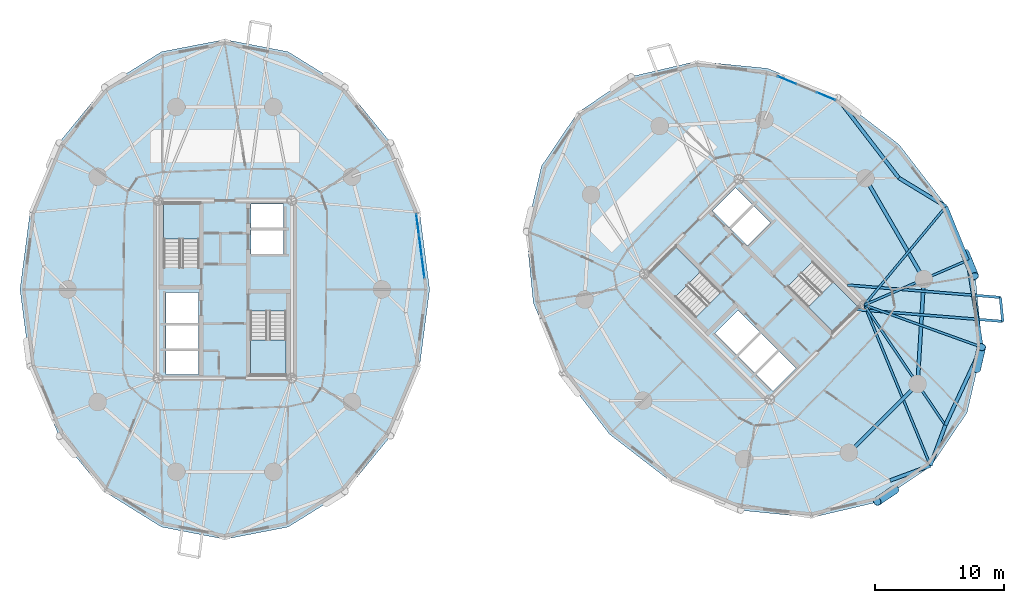
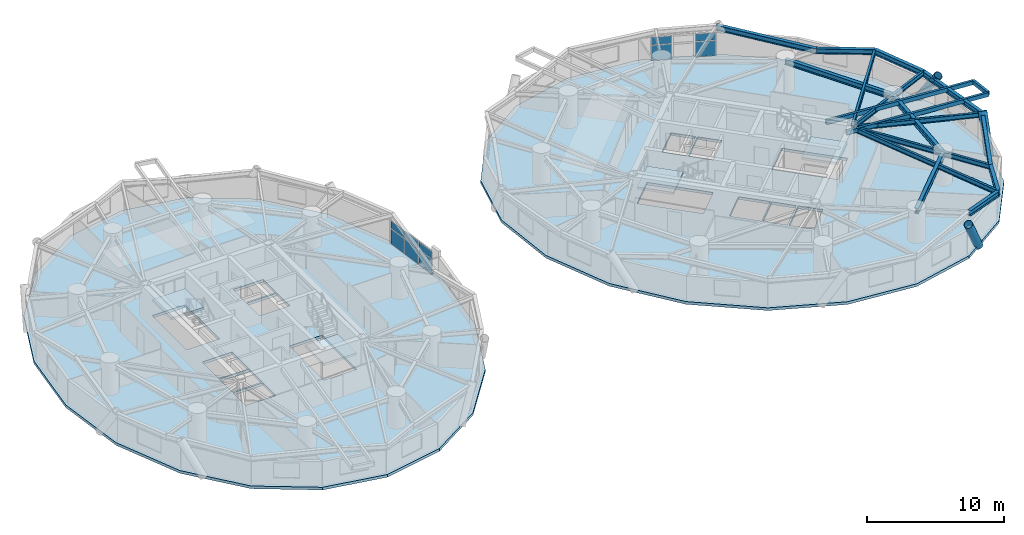
# One storey, part 8 of 16: 18 beams, 10 plates, 6 slabs, 3 members, 6 elements without a shape of their own.
"""IFC4 building model written with IfcOpenShell, lengths in metres."""

from ifc_helpers import new_model, si_unit, direction, frame, origin, origin_2d, place, context, subcontext, project, spatial, polyline, rectangle, hollow_rectangle, hollow_circle, i_section, outline, extrude, source, transform, mapped, material, layer, layer_set, material_profile, profile_set, type_object, element, aggregate, save


model = new_model("IFC4")

# Units and contexts
model_context = context("Model", 3, precision=1e-05, world=origin(), true_north=direction((0.0, 1.0)))
body_context = subcontext(model_context, "Body", "Model", "MODEL_VIEW")
ifc_project = project(units=[si_unit("LENGTHUNIT", "METRE"), si_unit("AREAUNIT", "SQUARE_METRE"), si_unit("VOLUMEUNIT", "CUBIC_METRE"), si_unit("PLANEANGLEUNIT", "RADIAN"), si_unit("MASSUNIT", "GRAM", prefix="KILO")], contexts=[model_context])

# Site, building, storey
site_placement = place(None, origin())
site = spatial("IfcSite", under=ifc_project, at=site_placement, CompositionType="ELEMENT")
building_placement = place(site_placement, origin())
building = spatial("IfcBuilding", under=site, at=building_placement, Name="Cununo Teusaquillo Station Towers", CompositionType="ELEMENT")
storey_placement = place(building_placement, frame((0.0, 0.0, 99.25)))
storey = spatial("IfcBuildingStorey", under=building, at=storey_placement, Name="L31", CompositionType="ELEMENT", Elevation=99.25)

# Beams
ifc_material_1 = material(Name="Steel EN 10025-2 S355J2", Category="steel")
ifc_material_profile_1 = material_profile(ifc_material_1, hollow_rectangle(XDim=0.199951171875, YDim=0.35009765625, WallThickness=0.013916015625, at=origin_2d()), Name="RHS 350x200x14")
ifc_profile_set_1 = profile_set([ifc_material_profile_1], Name="Steel EN 10025-2 S355J2")
beam_type_1 = type_object("IfcBeamType", Name="BM-BAL-CANT", PredefinedType="BEAM", material=ifc_profile_set_1)
beam_1_placement = place(storey_placement, frame((65.349609375, 22.945068359375, 2.4951171875), z_axis=(0.996745262171, -0.080615645749, 0.0), x_axis=(0.080615645749, 0.996745262171, 0.0)))
element("IfcBeam", 1, at=beam_1_placement, inside=storey, type_object=beam_type_1, Name="L31 Tower B Balcony Cantilever Bracket 2A", PredefinedType="BEAM", context=body_context, shape_type="SweptSolid", body=[
    extrude(hollow_rectangle(XDim=0.199951171875, YDim=0.35009765625, WallThickness=0.013916015625, at=origin_2d()), origin(), (0.0, 0.0, 1.0), 11.42626953125),
])
beam_2_placement = place(storey_placement, frame((64.73095703125, 24.835205078125, 2.4951171875), z_axis=(0.996743683159, -0.080635166538, 0.0), x_axis=(0.080635166538, 0.996743683159, 0.0)))
element("IfcBeam", 2, at=beam_2_placement, inside=storey, type_object=beam_type_1, Name="L31 Tower B Balcony Cantilever Bracket 2B", PredefinedType="BEAM", context=body_context, shape_type="SweptSolid", body=[
    extrude(hollow_rectangle(XDim=0.199951171875, YDim=0.35009765625, WallThickness=0.013916015625, at=origin_2d()), origin(), (0.0, 0.0, 1.0), 11.862548828125),
])
ifc_material_2 = material(Name="Steel ASTM A572 Grade 50", Category="steel")
ifc_material_profile_2 = material_profile(ifc_material_2, i_section(OverallWidth=0.180908203125, OverallDepth=0.4169921875, WebThickness=0.010986328125, FlangeThickness=0.018310546875, FilletRadius=0.012939453125, at=origin_2d()), Name="W16X57")
ifc_profile_set_2 = profile_set([ifc_material_profile_2], Name="Steel ASTM A572 Grade 50")
beam_type_2 = type_object("IfcBeamType", Name="BM-JOIST-1", PredefinedType="JOIST", material=ifc_profile_set_2)
beam_3_placement = place(storey_placement, frame((66.024169921875, 23.29443359375, 2.46142578125), z_axis=(0.380485864505, -0.924786735908, 0.0), x_axis=(0.924786735908, 0.380485864505, 0.0)))
element("IfcBeam", 3, at=beam_3_placement, inside=storey, type_object=beam_type_2, Name="L31 Tower B Radial Spandrel Joist V15", PredefinedType="JOIST", context=body_context, shape_type="SweptSolid", body=[
    extrude(i_section(OverallWidth=0.180908203125, OverallDepth=0.4169921875, WebThickness=0.010986328125, FlangeThickness=0.018310546875, FilletRadius=0.012939453125, at=origin_2d()), origin(), (0.0, 0.0, 1.0), 13.44580078125),
])
beam_4_placement = place(storey_placement, frame((66.024169921875, 23.29443359375, 2.46142578125), z_axis=(0.941082771055, -0.338176312038, 0.0), x_axis=(0.338176312038, 0.941082771055, 0.0)))
element("IfcBeam", 4, at=beam_4_placement, inside=storey, type_object=beam_type_2, Name="L31 Tower B Radial Spandrel Joist V17", PredefinedType="JOIST", context=body_context, shape_type="SweptSolid", body=[
    extrude(i_section(OverallWidth=0.180908203125, OverallDepth=0.4169921875, WebThickness=0.010986328125, FlangeThickness=0.018310546875, FilletRadius=0.012939453125, at=origin_2d()), origin(), (0.0, 0.0, 1.0), 9.646484375),
])
beam_5_placement = place(storey_placement, frame((66.024169921875, 23.29443359375, 2.46142578125), z_axis=(0.638372238196, 0.769727799615, 0.0), x_axis=(-0.769727799615, 0.638372238196, 0.0)))
element("IfcBeam", 5, at=beam_5_placement, inside=storey, type_object=beam_type_2, Name="L31 Tower B Radial Spandrel Joist V19", PredefinedType="JOIST", context=body_context, shape_type="SweptSolid", body=[
    extrude(i_section(OverallWidth=0.180908203125, OverallDepth=0.4169921875, WebThickness=0.010986328125, FlangeThickness=0.018310546875, FilletRadius=0.012939453125, at=origin_2d()), origin(), (0.0, 0.0, 1.0), 9.895263671875),
])
ifc_material_3 = material(Name="Steel ASTM A572 Grade 50", Category="steel")
ifc_material_profile_3 = material_profile(ifc_material_3, i_section(OverallWidth=0.180908203125, OverallDepth=0.4169921875, WebThickness=0.010986328125, FlangeThickness=0.018310546875, FilletRadius=0.012939453125, at=origin_2d()), Name="W16X57")
ifc_profile_set_3 = profile_set([ifc_material_profile_3], Name="Steel ASTM A572 Grade 50")
beam_type_3 = type_object("IfcBeamType", Name="BM-RAD-G2", PredefinedType="BEAM", material=ifc_profile_set_3)
beam_6_placement = place(storey_placement, frame((66.024169921875, 23.29443359375, 2.46142578125), z_axis=(0.558572297481, -0.82945583878, 0.0), x_axis=(0.82945583878, 0.558572297481, 0.0)))
element("IfcBeam", 6, at=beam_6_placement, inside=storey, type_object=beam_type_3, Name="L31 Tower B Continuous Overhanging Radial Girder 09", PredefinedType="BEAM", context=body_context, shape_type="SweptSolid", body=[
    extrude(i_section(OverallWidth=0.180908203125, OverallDepth=0.4169921875, WebThickness=0.010986328125, FlangeThickness=0.018310546875, FilletRadius=0.012939453125, at=origin_2d()), origin(), (0.0, 0.0, 1.0), 11.22998046875),
])
beam_7_placement = place(storey_placement, frame((66.024169921875, 23.29443359375, 2.46142578125), z_axis=(0.917654733344, 0.397378648609, 0.0), x_axis=(-0.397378648609, 0.917654733344, 0.0)))
element("IfcBeam", 7, at=beam_7_placement, inside=storey, type_object=beam_type_3, Name="L31 Tower B Continuous Overhanging Radial Girder 10", PredefinedType="BEAM", context=body_context, shape_type="SweptSolid", body=[
    extrude(i_section(OverallWidth=0.180908203125, OverallDepth=0.4169921875, WebThickness=0.010986328125, FlangeThickness=0.018310546875, FilletRadius=0.012939453125, at=origin_2d()), origin(), (0.0, 0.0, 1.0), 8.71484375),
])
ifc_material_4 = material(Name="Steel ASTM A572 Grade 50", Category="steel")
ifc_material_profile_4 = material_profile(ifc_material_4, i_section(OverallWidth=0.280029296875, OverallDepth=0.462890625, WebThickness=0.0107421875, FlangeThickness=0.017333984375, FilletRadius=0.013916015625, at=origin_2d()), Name="W18X76")
ifc_profile_set_4 = profile_set([ifc_material_profile_4], Name="Steel ASTM A572 Grade 50")
beam_type_4 = type_object("IfcBeamType", Name="BM-RING-Z2", PredefinedType="SPANDREL", material=ifc_profile_set_4)
beam_8_placement = place(storey_placement, frame((64.826904296875, 11.853759765625, 2.4384765625), z_axis=(0.707106781187, 0.707106781187, 0.0), x_axis=(-0.707106781187, 0.707106781187, 0.0)))
element("IfcBeam", 8, at=beam_8_placement, inside=storey, type_object=beam_type_4, Name="L31 Tower B Structural Column Ring Girder 08", PredefinedType="SPANDREL", context=body_context, shape_type="SweptSolid", body=[
    extrude(i_section(OverallWidth=0.280029296875, OverallDepth=0.462890625, WebThickness=0.0107421875, FlangeThickness=0.017333984375, FilletRadius=0.013916015625, at=origin_2d()), origin(), (0.0, 0.0, 1.0), 7.522705078125),
])
beam_9_placement = place(storey_placement, frame((70.146240234375, 17.173095703125, 2.4384765625), z_axis=(0.06012979176, 0.998190567048, 0.0), x_axis=(-0.998190567048, 0.06012979176, 0.0)))
element("IfcBeam", 9, at=beam_9_placement, inside=storey, type_object=beam_type_4, Name="L31 Tower B Structural Column Ring Girder 09", PredefinedType="SPANDREL", context=body_context, shape_type="SweptSolid", body=[
    extrude(i_section(OverallWidth=0.280029296875, OverallDepth=0.462890625, WebThickness=0.0107421875, FlangeThickness=0.017333984375, FilletRadius=0.013916015625, at=origin_2d()), origin(), (0.0, 0.0, 1.0), 8.132568359375),
])
beam_10_placement = place(storey_placement, frame((70.63525390625, 25.291015625, 2.4384765625), z_axis=(-0.501311121078, 0.865267103202, 0.0), x_axis=(-0.865267103202, -0.501311121078, 0.0)))
element("IfcBeam", 10, at=beam_10_placement, inside=storey, type_object=beam_type_4, Name="L31 Tower B Structural Column Ring Girder 10", PredefinedType="SPANDREL", context=body_context, shape_type="SweptSolid", body=[
    extrude(i_section(OverallWidth=0.280029296875, OverallDepth=0.462890625, WebThickness=0.0107421875, FlangeThickness=0.017333984375, FilletRadius=0.013916015625, at=origin_2d()), origin(), (0.0, 0.0, 1.0), 9.032958984375),
])
beam_11_placement = place(storey_placement, frame((68.694580078125, 33.12890625, 2.4384765625), z_axis=(-0.610100441726, 0.792324082056, 0.0), x_axis=(-0.792324082056, -0.610100441726, 0.0)))
element("IfcBeam", 11, at=beam_11_placement, inside=storey, type_object=beam_type_4, Name="L31 Tower B Spandrel Ring Beam 01", PredefinedType="SPANDREL", context=body_context, shape_type="SweptSolid", body=[
    extrude(i_section(OverallWidth=0.280029296875, OverallDepth=0.462890625, WebThickness=0.0107421875, FlangeThickness=0.017333984375, FilletRadius=0.013916015625, at=origin_2d()), origin(), (0.0, 0.0, 1.0), 7.84033203125),
])
for number, where, z_axis, x_axis, name in (
    (12, (68.020263671875, 9.703125, 2.4384765625), (0.937628334414, 0.347639333943, 0.0), (-0.347639333943, 0.937628334414, 0.0), "L31 Tower B Spandrel Ring Beam 15"),
    (13, (71.14013671875, 10.85986328125, 2.4384765625), (0.347639333943, 0.937628334414, 0.0), (-0.937628334414, 0.347639333943, 0.0), "L31 Tower B Spandrel Ring Beam 16"),
):
    element("IfcBeam", number, at=place(storey_placement, frame(where, z_axis=z_axis, x_axis=x_axis)), inside=storey, type_object=beam_type_4, Name=name, PredefinedType="SPANDREL", context=body_context, shape_type="SweptSolid", body=[
        extrude(i_section(OverallWidth=0.280029296875, OverallDepth=0.462890625, WebThickness=0.0107421875, FlangeThickness=0.017333984375, FilletRadius=0.013916015625, at=origin_2d()), origin(), (0.0, 0.0, 1.0), 3.327392578125),
    ])
beam_12_placement = place(storey_placement, frame((72.296875, 13.979736328125, 2.4384765625), z_axis=(0.420535961689, 0.907275870354, 0.0), x_axis=(-0.907275870354, 0.420535961689, 0.0)))
element("IfcBeam", 14, at=beam_12_placement, inside=storey, type_object=beam_type_4, Name="L31 Tower B Spandrel Ring Beam 17", PredefinedType="SPANDREL", context=body_context, shape_type="SweptSolid", body=[
    extrude(i_section(OverallWidth=0.280029296875, OverallDepth=0.462890625, WebThickness=0.0107421875, FlangeThickness=0.017333984375, FilletRadius=0.013916015625, at=origin_2d()), origin(), (0.0, 0.0, 1.0), 6.671142578125),
])
beam_13_placement = place(storey_placement, frame((75.102294921875, 20.0322265625, 2.4384765625), z_axis=(-0.158671232312, 0.987331474246, 0.0), x_axis=(-0.987331474246, -0.158671232312, 0.0)))
element("IfcBeam", 15, at=beam_13_placement, inside=storey, type_object=beam_type_4, Name="L31 Tower B Spandrel Ring Beam 18", PredefinedType="SPANDREL", context=body_context, shape_type="SweptSolid", body=[
    extrude(i_section(OverallWidth=0.280029296875, OverallDepth=0.462890625, WebThickness=0.0107421875, FlangeThickness=0.017333984375, FilletRadius=0.013916015625, at=origin_2d()), origin(), (0.0, 0.0, 1.0), 6.8115234375),
])
beam_14_placement = place(storey_placement, frame((74.021484375, 26.757568359375, 2.4384765625), z_axis=(-0.375042266631, 0.927007712072, 0.0), x_axis=(-0.927007712072, -0.375042266631, 0.0)))
element("IfcBeam", 16, at=beam_14_placement, inside=storey, type_object=beam_type_4, Name="L31 Tower B Spandrel Ring Beam 19", PredefinedType="SPANDREL", context=body_context, shape_type="SweptSolid", body=[
    extrude(i_section(OverallWidth=0.280029296875, OverallDepth=0.462890625, WebThickness=0.0107421875, FlangeThickness=0.017333984375, FilletRadius=0.013916015625, at=origin_2d()), origin(), (0.0, 0.0, 1.0), 4.480712890625),
])
beam_15_placement = place(storey_placement, frame((72.341064453125, 30.9111328125, 2.4384765625), z_axis=(-0.854388492444, 0.519634779416, 0.0), x_axis=(-0.519634779416, -0.854388492444, 0.0)))
element("IfcBeam", 17, at=beam_15_placement, inside=storey, type_object=beam_type_4, Name="L31 Tower B Spandrel Ring Beam 20", PredefinedType="SPANDREL", context=body_context, shape_type="SweptSolid", body=[
    extrude(i_section(OverallWidth=0.280029296875, OverallDepth=0.462890625, WebThickness=0.0107421875, FlangeThickness=0.017333984375, FilletRadius=0.013916015625, at=origin_2d()), origin(), (0.0, 0.0, 1.0), 4.26806640625),
])
ifc_material_5 = material(Name="Steel EN 10025-2 S355J2", Category="steel")
ifc_material_profile_5 = material_profile(ifc_material_5, hollow_rectangle(XDim=0.199951171875, YDim=0.35009765625, WallThickness=0.013916015625, at=origin_2d()), Name="RHS 350x200x14")
ifc_profile_set_5 = profile_set([ifc_material_profile_5], Name="Steel EN 10025-2 S355J2")
beam_type_5 = type_object("IfcBeamType", Name="BM-STAIR-TRIM", PredefinedType="BEAM", material=ifc_profile_set_5)
beam_16_placement = place(storey_placement, frame((76.73876953125, 22.02392578125, 2.52490234375), z_axis=(-0.098634743912, 0.995123704518, 0.0), x_axis=(-0.995123704518, -0.098634743912, 0.0)))
element("IfcBeam", 18, at=beam_16_placement, inside=storey, type_object=beam_type_5, Name="L31 Tower B Balcony Edge Trimmer Beam 2", PredefinedType="BEAM", context=body_context, shape_type="SweptSolid", body=[
    extrude(hollow_rectangle(XDim=0.199951171875, YDim=0.35009765625, WallThickness=0.013916015625, at=origin_2d()), origin(), (0.0, 0.0, 1.0), 1.86376953125),
])

# Members
ifc_material_6 = material(Name="Steel EN 10025-2 S355J2", Category="steel")
ifc_material_profile_6 = material_profile(ifc_material_6, hollow_circle(Radius=0.330078125, WallThickness=0.02490234375, at=origin_2d()), Name="CHS 660x25")
ifc_profile_set_6 = profile_set([ifc_material_profile_6], Name="Steel EN 10025-2 S355J2")
member_type = type_object("IfcMemberType", Name="MBR-DIAG-Z2", PredefinedType="BRACE", material=ifc_profile_set_6)
member_1_placement = place(storey_placement, frame((68.393310546875, 9.003173828125, -0.139892578125), z_axis=(-0.410124934173, -0.277231625428, 0.868872927552), x_axis=(0.560024081213, -0.828476329452, 0.0)))
element("IfcMember", 19, at=member_1_placement, inside=storey, type_object=member_type, Name="L31 Tower B Folded-Zigzag Diagrid Tube C14", PredefinedType="BRACE", context=body_context, shape_type="SweptSolid", body=[
    extrude(hollow_circle(Radius=0.330078125, WallThickness=0.02490234375, at=origin_2d()), origin(), (0.0, 0.0, 1.0), 3.34912109375),
])
member_2_placement = place(storey_placement, frame((74.7099609375, 18.348388671875, -0.139892578125), z_axis=(0.115910772147, 0.497471434658, 0.859701613701), x_axis=(-0.973913029911, 0.226921594761, 0.0)))
element("IfcMember", 20, at=member_2_placement, inside=storey, type_object=member_type, Name="L31 Tower B Folded-Zigzag Diagrid Tube C16", PredefinedType="BRACE", context=body_context, shape_type="SweptSolid", body=[
    extrude(hollow_circle(Radius=0.330078125, WallThickness=0.02490234375, at=origin_2d()), origin(), (0.0, 0.0, 1.0), 3.384765625),
])
member_3_placement = place(storey_placement, frame((73.818115234375, 27.318115234375, -0.139892578125), z_axis=(0.211093316399, -0.51346268498, 0.83174255807), x_axis=(0.924888817599, 0.380237656053, 0.0)))
element("IfcMember", 21, at=member_3_placement, inside=storey, type_object=member_type, Name="L31 Tower B Folded-Zigzag Diagrid Tube C18", PredefinedType="BRACE", context=body_context, shape_type="SweptSolid", body=[
    extrude(hollow_circle(Radius=0.330078125, WallThickness=0.02490234375, at=origin_2d()), origin(), (0.0, 0.0, 1.0), 3.49853515625),
])

# Stair, slab
ifc_material_7 = material(Name="Concrete C50/60", Category="concrete")
stair_type = type_object("IfcStairType", Name="ST-TWR-1300", PredefinedType="HALF_TURN_STAIR", material=ifc_material_7)
stair_1_placement = place(storey_placement, origin())
stair_1 = element("IfcStair", 22, at=stair_1_placement, inside=storey, type_object=stair_type, Name="L31 Tower A Protected Core Exit Stair 1", PredefinedType="HALF_TURN_STAIR")
ifc_material_8 = material(Name="Concrete C50/60", Category="concrete")
ifc_layer_1 = layer(ifc_material_8, 0.199951171875)
ifc_layer_set_1 = layer_set([ifc_layer_1], Name="Concrete C50/60")
slab_type_1 = type_object("IfcSlabType", Name="SLB-STAIR-LND", PredefinedType="LANDING", material=ifc_layer_set_1)
slab_1_placement = place(storey_placement, frame((0.0, 0.0, 1.2548828125)))
slab_1 = element("IfcSlab", 23, at=slab_1_placement, type_object=slab_type_1, Name="ST-T1-1 landing 1", PredefinedType="LANDING", context=body_context, shape_type="SweptSolid", body=[
    extrude(outline(polyline([(14.52001953125, 28.409912109375), (14.52001953125, 31.159912109375), (11.760009765625, 31.159912109375), (11.760009765625, 28.409912109375), (14.52001953125, 28.409912109375)])), origin(), (0.0, 0.0, 1.0), 0.2001953125),
])
aggregate(stair_1, [slab_1])

stair_2_placement = place(storey_placement, origin())
stair_2 = element("IfcStair", 24, at=stair_2_placement, inside=storey, type_object=stair_type, Name="L31 Tower A Protected Core Exit Stair 2", PredefinedType="HALF_TURN_STAIR")
slab_2_placement = place(storey_placement, frame((0.0, 0.0, 1.2548828125)))
slab_2 = element("IfcSlab", 25, at=slab_2_placement, type_object=slab_type_1, Name="ST-T1-2 landing 1", PredefinedType="LANDING", context=body_context, shape_type="SweptSolid", body=[
    extrude(outline(polyline([(18.47998046875, 20.590087890625), (18.47998046875, 17.840087890625), (21.239990234375, 17.840087890625), (21.239990234375, 20.590087890625), (18.47998046875, 20.590087890625)])), origin(), (0.0, 0.0, 1.0), 0.2001953125),
])
aggregate(stair_2, [slab_2])

stair_3_placement = place(storey_placement, origin())
stair_3 = element("IfcStair", 26, at=stair_3_placement, inside=storey, type_object=stair_type, Name="L31 Tower B Protected Core Exit Stair 1", PredefinedType="HALF_TURN_STAIR")
slab_3_placement = place(storey_placement, frame((0.0, 0.0, 1.2548828125)))
slab_3 = element("IfcSlab", 27, at=slab_3_placement, type_object=slab_type_1, Name="ST-T2-1 landing 1", PredefinedType="LANDING", context=body_context, shape_type="SweptSolid", body=[
    extrude(outline(polyline([(53.335205078125, 25.86474609375), (51.390625, 27.809326171875), (49.43896484375, 25.857666015625), (51.383544921875, 23.9130859375), (53.335205078125, 25.86474609375)])), origin(), (0.0, 0.0, 1.0), 0.2001953125),
])
aggregate(stair_3, [slab_3])

stair_4_placement = place(storey_placement, origin())
stair_4 = element("IfcStair", 28, at=stair_4_placement, inside=storey, type_object=stair_type, Name="L31 Tower B Protected Core Exit Stair 2", PredefinedType="HALF_TURN_STAIR")
slab_4_placement = place(storey_placement, frame((0.0, 0.0, 1.2548828125)))
slab_4 = element("IfcSlab", 29, at=slab_4_placement, type_object=slab_type_1, Name="ST-T2-2 landing 1", PredefinedType="LANDING", context=body_context, shape_type="SweptSolid", body=[
    extrude(outline(polyline([(61.664794921875, 23.13525390625), (63.609375, 21.190673828125), (65.56103515625, 23.142333984375), (63.616455078125, 25.0869140625), (61.664794921875, 23.13525390625)])), origin(), (0.0, 0.0, 1.0), 0.2001953125),
])
aggregate(stair_4, [slab_4])

# Slabs
ifc_material_9 = material(Name="Concrete C40/50", Category="concrete")
ifc_layer_2 = layer(ifc_material_9, 0.239990234375)
ifc_layer_set_2 = layer_set([ifc_layer_2], Name="Concrete C40/50")
slab_type_2 = type_object("IfcSlabType", Name="SLB-Z2-240", PredefinedType="FLOOR", material=ifc_layer_set_2)
slab_5_placement = place(storey_placement, frame((0.0, 0.0, -0.239990234375)))
element("IfcSlab", 30, at=slab_5_placement, inside=storey, type_object=slab_type_2, Name="L31 Tower A Floor Slab", PredefinedType="FLOOR", context=body_context, shape_type="SweptSolid", body=[
    extrude(outline(polyline([(32.361083984375, 24.5), (31.584716796875, 30.4794921875), (29.331787109375, 35.87353515625), (25.822998046875, 40.154541015625), (21.4013671875, 42.90283203125), (16.5, 43.85009765625), (11.5986328125, 42.90283203125), (7.177001953125, 40.154541015625), (3.668212890625, 35.87353515625), (1.415283203125, 30.4794921875), (0.638916015625, 24.5), (1.415283203125, 18.5205078125), (3.668212890625, 13.12646484375), (7.177001953125, 8.845458984375), (11.5986328125, 6.09716796875), (16.5, 5.14990234375), (21.4013671875, 6.09716796875), (25.822998046875, 8.845458984375), (29.331787109375, 13.12646484375), (31.584716796875, 18.5205078125), (32.361083984375, 24.5)]), holes=[polyline([(14.52001953125, 26.176025390625), (14.52001953125, 31.159912109375), (11.760009765625, 31.159912109375), (11.760009765625, 26.176025390625), (14.52001953125, 26.176025390625)]), polyline([(18.47998046875, 22.823974609375), (18.47998046875, 17.840087890625), (21.239990234375, 17.840087890625), (21.239990234375, 22.823974609375), (18.47998046875, 22.823974609375)]), polyline([(11.949951171875, 21.85009765625), (14.47998046875, 21.85009765625), (14.47998046875, 24.25), (11.949951171875, 24.25), (11.949951171875, 21.85009765625)]), polyline([(11.949951171875, 17.89990234375), (14.47998046875, 17.89990234375), (14.47998046875, 19.75), (11.949951171875, 19.75), (11.949951171875, 17.89990234375)]), polyline([(11.949951171875, 19.89990234375), (14.47998046875, 19.89990234375), (14.47998046875, 21.75), (11.949951171875, 21.75), (11.949951171875, 19.89990234375)]), polyline([(18.52001953125, 27.25), (21.050048828125, 27.25), (21.050048828125, 29.10009765625), (18.52001953125, 29.10009765625), (18.52001953125, 27.25)]), polyline([(18.52001953125, 29.25), (21.050048828125, 29.25), (21.050048828125, 31.10009765625), (18.52001953125, 31.10009765625), (18.52001953125, 29.25)])]), origin(), (0.0, 0.0, 1.0), 0.239990234375),
])
slab_6_placement = place(storey_placement, frame((0.0, 0.0, -0.239990234375)))
element("IfcSlab", 31, at=slab_6_placement, inside=storey, type_object=slab_type_2, Name="L31 Tower B Floor Slab", PredefinedType="FLOOR", context=body_context, shape_type="SweptSolid", body=[
    extrude(outline(polyline([(68.71533203125, 35.71533203125), (63.938232421875, 39.39453125), (58.531005859375, 41.61572265625), (53.02294921875, 42.16162109375), (47.952880859375, 40.978515625), (43.8173828125, 38.1826171875), (41.021484375, 34.047119140625), (39.83837890625, 28.97705078125), (40.38427734375, 23.468994140625), (42.60546875, 18.061767578125), (46.28466796875, 13.28466796875), (51.061767578125, 9.60546875), (56.468994140625, 7.38427734375), (61.97705078125, 6.83837890625), (67.047119140625, 8.021484375), (71.1826171875, 10.8173828125), (73.978515625, 14.952880859375), (75.16162109375, 20.02294921875), (74.61572265625, 25.531005859375), (72.39453125, 30.938232421875), (68.71533203125, 35.71533203125)]), holes=[polyline([(54.914794921875, 24.28515625), (51.390625, 27.809326171875), (49.43896484375, 25.857666015625), (52.963134765625, 22.33349609375), (54.914794921875, 24.28515625)]), polyline([(60.085205078125, 24.71484375), (63.609375, 21.190673828125), (65.56103515625, 23.142333984375), (62.036865234375, 26.66650390625), (60.085205078125, 24.71484375)]), polyline([(56.156494140625, 19.40869140625), (57.945556640625, 21.19775390625), (56.248291015625, 22.89501953125), (54.45947265625, 21.10595703125), (56.156494140625, 19.40869140625)]), polyline([(58.94970703125, 16.61572265625), (60.738525390625, 18.40478515625), (59.430419921875, 19.712890625), (57.641357421875, 17.923828125), (58.94970703125, 16.61572265625)]), polyline([(57.535400390625, 18.030029296875), (59.32421875, 19.819091796875), (58.01611328125, 21.127197265625), (56.227294921875, 19.338134765625), (57.535400390625, 18.030029296875)]), polyline([(56.98388671875, 27.872802734375), (58.772705078125, 29.661865234375), (57.464599609375, 30.969970703125), (55.67578125, 29.180908203125), (56.98388671875, 27.872802734375)]), polyline([(55.569580078125, 29.287109375), (57.358642578125, 31.076171875), (56.05029296875, 32.38427734375), (54.261474609375, 30.59521484375), (55.569580078125, 29.287109375)])]), origin(), (0.0, 0.0, 1.0), 0.239990234375),
])

# Curtain wall, plates
ifc_material_10 = material(Name="Ceramic-fritted dark low-E double glazing", Category="glass")
ifc_layer_3 = layer(ifc_material_10, 0.179931640625)
ifc_layer_set_3 = layer_set([ifc_layer_3], Name="Ceramic-fritted dark low-E double glazing")
curtain_wall_type = type_object("IfcCurtainWallType", Name="CW-SYS-04", PredefinedType="USERDEFINED", material=ifc_layer_set_3)
curtain_wall_1_placement = place(storey_placement, origin())
curtain_wall_1 = element("IfcCurtainWall", 32, at=curtain_wall_1_placement, inside=storey, type_object=curtain_wall_type, Name="L31 Tower A Facade Curtain Wall C00", ObjectType="FRITTED GLAZING", PredefinedType="USERDEFINED")
ifc_material_11 = material(Name="Ceramic-fritted dark low-E double glazing", Category="glass")
ifc_layer_4 = layer(ifc_material_11, 0.028076171875)
ifc_layer_set_4 = layer_set([ifc_layer_4], Name="Ceramic-fritted dark low-E double glazing")
plate_type = type_object("IfcPlateType", Name="CWP-FRIT-28", PredefinedType="CURTAIN_PANEL", material=ifc_layer_set_4)
shared_shape_1 = source(origin(), body_context, "Body", "SweptSolid", [
    extrude(rectangle(XDim=1.59228515625, YDim=0.028076171875, at=origin_2d()), origin(), (0.0, 0.0, 1.0), 1.31103515625),
])
plate_1_placement = place(storey_placement, frame((31.429443359375, 29.533935546875, 0.070068359375), z_axis=(0.0, 0.0, 1.0), x_axis=(0.128335852387, -0.991730764367, 0.0)))
plate_1 = element("IfcPlate", 33, at=plate_1_placement, type_object=plate_type, Name="CW-04 panel 1.1", PredefinedType="CURTAIN_PANEL", context=body_context, shape_type="MappedRepresentation", body=[
    mapped(shared_shape_1, transform((0.0, 0.0, 0.0), x_axis=(1.0, 0.0, 0.0), y_axis=(0.0, 1.0, 0.0), z_axis=(0.0, 0.0, 1.0), scale=1.0)),
])
plate_2_placement = place(storey_placement, frame((31.86083984375, 26.201904296875, 0.070068359375), z_axis=(0.0, 0.0, 1.0), x_axis=(0.128335852387, -0.991730764367, 0.0)))
plate_2 = element("IfcPlate", 34, at=plate_2_placement, type_object=plate_type, Name="CW-04 panel 3.1", PredefinedType="CURTAIN_PANEL", context=body_context, shape_type="MappedRepresentation", body=[
    mapped(shared_shape_1, transform((0.0, 0.0, 0.0), x_axis=(1.0, 0.0, 0.0), y_axis=(0.0, 1.0, 0.0), z_axis=(0.0, 0.0, 1.0), scale=1.0)),
])
shared_shape_2 = source(origin(), body_context, "Body", "SweptSolid", [
    extrude(rectangle(XDim=1.59228515625, YDim=0.028076171875, at=origin_2d()), origin(), (0.0, 0.0, 1.0), 0.657958984375),
])
plate_3_placement = place(storey_placement, frame((31.429443359375, 29.533935546875, 1.451171875), z_axis=(0.0, 0.0, 1.0), x_axis=(0.128335852387, -0.991730764367, 0.0)))
plate_3 = element("IfcPlate", 35, at=plate_3_placement, type_object=plate_type, Name="CW-04 panel 1.2", PredefinedType="CURTAIN_PANEL", context=body_context, shape_type="MappedRepresentation", body=[
    mapped(shared_shape_2, transform((0.0, 0.0, 0.0), x_axis=(1.0, 0.0, 0.0), y_axis=(0.0, 1.0, 0.0), z_axis=(0.0, 0.0, 1.0), scale=1.0)),
])
plate_4_placement = place(storey_placement, frame((31.86083984375, 26.201904296875, 1.451171875), z_axis=(0.0, 0.0, 1.0), x_axis=(0.128335852387, -0.991730764367, 0.0)))
plate_4 = element("IfcPlate", 36, at=plate_4_placement, type_object=plate_type, Name="CW-04 panel 3.2", PredefinedType="CURTAIN_PANEL", context=body_context, shape_type="MappedRepresentation", body=[
    mapped(shared_shape_2, transform((0.0, 0.0, 0.0), x_axis=(1.0, 0.0, 0.0), y_axis=(0.0, 1.0, 0.0), z_axis=(0.0, 0.0, 1.0), scale=1.0)),
])
shared_shape_3 = source(origin(), body_context, "Body", "SweptSolid", [
    extrude(rectangle(XDim=1.62744140625, YDim=0.028076171875, at=origin_2d()), origin(), (0.0, 0.0, 1.0), 1.31103515625),
])
plate_5_placement = place(storey_placement, frame((31.645263671875, 27.867919921875, 0.070068359375), z_axis=(0.0, 0.0, 1.0), x_axis=(0.128335852387, -0.991730764367, 0.0)))
plate_5 = element("IfcPlate", 37, at=plate_5_placement, type_object=plate_type, Name="CW-04 panel 2.1", PredefinedType="CURTAIN_PANEL", context=body_context, shape_type="MappedRepresentation", body=[
    mapped(shared_shape_3, transform((0.0, 0.0, 0.0), x_axis=(1.0, 0.0, 0.0), y_axis=(0.0, 1.0, 0.0), z_axis=(0.0, 0.0, 1.0), scale=1.0)),
])
shared_shape_4 = source(origin(), body_context, "Body", "SweptSolid", [
    extrude(rectangle(XDim=1.62744140625, YDim=0.028076171875, at=origin_2d()), origin(), (0.0, 0.0, 1.0), 0.657958984375),
])
plate_6_placement = place(storey_placement, frame((31.645263671875, 27.867919921875, 1.451171875), z_axis=(0.0, 0.0, 1.0), x_axis=(0.128335852387, -0.991730764367, 0.0)))
plate_6 = element("IfcPlate", 38, at=plate_6_placement, type_object=plate_type, Name="CW-04 panel 2.2", PredefinedType="CURTAIN_PANEL", context=body_context, shape_type="MappedRepresentation", body=[
    mapped(shared_shape_4, transform((0.0, 0.0, 0.0), x_axis=(1.0, 0.0, 0.0), y_axis=(0.0, 1.0, 0.0), z_axis=(0.0, 0.0, 1.0), scale=1.0)),
])
aggregate(curtain_wall_1, [plate_1, plate_3, plate_5, plate_6, plate_2, plate_4])

curtain_wall_2_placement = place(storey_placement, origin())
curtain_wall_2 = element("IfcCurtainWall", 39, at=curtain_wall_2_placement, inside=storey, type_object=curtain_wall_type, Name="L31 Tower B Facade Curtain Wall C01", ObjectType="FRITTED GLAZING", PredefinedType="USERDEFINED")
shared_shape_5 = source(origin(), body_context, "Body", "SweptSolid", [
    extrude(rectangle(XDim=1.531005859375, YDim=0.028076171875, at=origin_2d()), origin(), (0.0, 0.0, 1.0), 1.31103515625),
])
plate_7_placement = place(storey_placement, frame((60.045654296875, 40.697021484375, 0.070068359375), z_axis=(0.0, 0.0, 1.0), x_axis=(0.924562443652, -0.381030560176, 0.0)))
plate_7 = element("IfcPlate", 40, at=plate_7_placement, type_object=plate_type, Name="CW-04 panel 1.1", PredefinedType="CURTAIN_PANEL", context=body_context, shape_type="MappedRepresentation", body=[
    mapped(shared_shape_5, transform((0.0, 0.0, 0.0), x_axis=(1.0, 0.0, 0.0), y_axis=(0.0, 1.0, 0.0), z_axis=(0.0, 0.0, 1.0), scale=1.0)),
])
plate_8_placement = place(storey_placement, frame((63.03857421875, 39.463623046875, 0.070068359375), z_axis=(0.0, 0.0, 1.0), x_axis=(0.924562443652, -0.381030560176, 0.0)))
plate_8 = element("IfcPlate", 41, at=plate_8_placement, type_object=plate_type, Name="CW-04 panel 3.1", PredefinedType="CURTAIN_PANEL", context=body_context, shape_type="MappedRepresentation", body=[
    mapped(shared_shape_5, transform((0.0, 0.0, 0.0), x_axis=(1.0, 0.0, 0.0), y_axis=(0.0, 1.0, 0.0), z_axis=(0.0, 0.0, 1.0), scale=1.0)),
])
shared_shape_6 = source(origin(), body_context, "Body", "SweptSolid", [
    extrude(rectangle(XDim=1.531005859375, YDim=0.028076171875, at=origin_2d()), origin(), (0.0, 0.0, 1.0), 0.657958984375),
])
plate_9_placement = place(storey_placement, frame((60.045654296875, 40.697021484375, 1.451171875), z_axis=(0.0, 0.0, 1.0), x_axis=(0.924562443652, -0.381030560176, 0.0)))
plate_9 = element("IfcPlate", 42, at=plate_9_placement, type_object=plate_type, Name="CW-04 panel 1.2", PredefinedType="CURTAIN_PANEL", context=body_context, shape_type="MappedRepresentation", body=[
    mapped(shared_shape_6, transform((0.0, 0.0, 0.0), x_axis=(1.0, 0.0, 0.0), y_axis=(0.0, 1.0, 0.0), z_axis=(0.0, 0.0, 1.0), scale=1.0)),
])
plate_10_placement = place(storey_placement, frame((63.03857421875, 39.463623046875, 1.451171875), z_axis=(0.0, 0.0, 1.0), x_axis=(0.924562443652, -0.381030560176, 0.0)))
plate_10 = element("IfcPlate", 43, at=plate_10_placement, type_object=plate_type, Name="CW-04 panel 3.2", PredefinedType="CURTAIN_PANEL", context=body_context, shape_type="MappedRepresentation", body=[
    mapped(shared_shape_6, transform((0.0, 0.0, 0.0), x_axis=(1.0, 0.0, 0.0), y_axis=(0.0, 1.0, 0.0), z_axis=(0.0, 0.0, 1.0), scale=1.0)),
])
aggregate(curtain_wall_2, [plate_7, plate_9, plate_8, plate_10])

save(model, "model.ifc")
